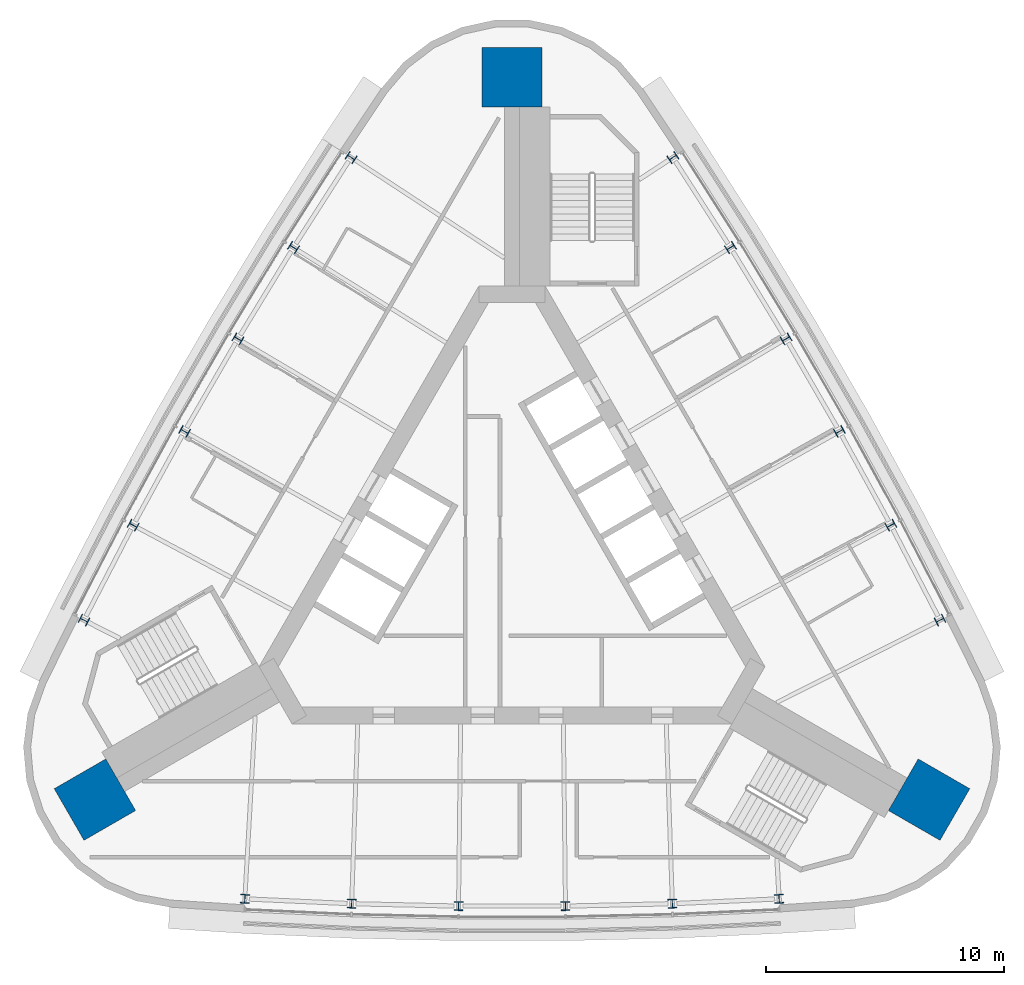
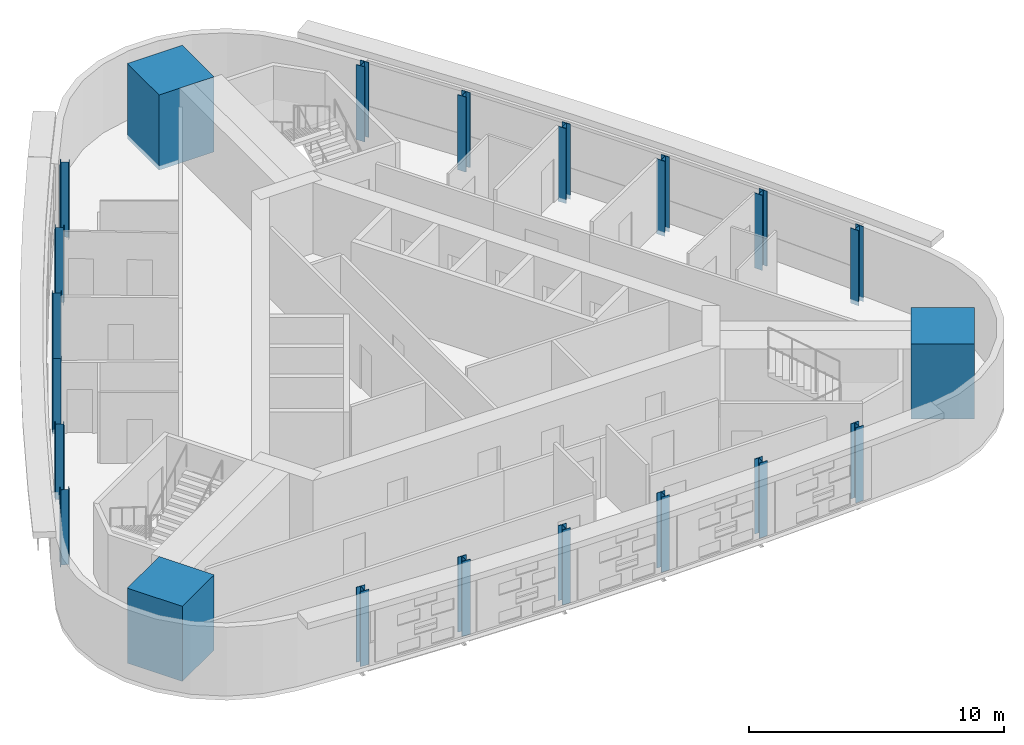
# One storey, part 1 of 9: 21 columns.
"""IFC4 building model written with IfcOpenShell, lengths in metres."""

from ifc_helpers import new_model, si_unit, direction, frame, origin, origin_2d, place, context, subcontext, project, spatial, rectangle, i_section, extrude, material, material_profile, profile_set, type_object, element, save


model = new_model("IFC4")

# Units and contexts
model_context = context("Model", 3, precision=1e-05, world=origin(), true_north=direction((0.0, 1.0)))
body_context = subcontext(model_context, "Body", "Model", "MODEL_VIEW")
ifc_project = project(units=[si_unit("LENGTHUNIT", "METRE"), si_unit("AREAUNIT", "SQUARE_METRE"), si_unit("VOLUMEUNIT", "CUBIC_METRE"), si_unit("PLANEANGLEUNIT", "RADIAN"), si_unit("MASSUNIT", "GRAM", prefix="KILO")], contexts=[model_context])

# Site, building, storey
site_placement = place(None, origin())
site = spatial("IfcSite", under=ifc_project, at=site_placement, CompositionType="ELEMENT")
building_placement = place(site_placement, origin())
building = spatial("IfcBuilding", under=site, at=building_placement, Name="Noor Cloister Tower", CompositionType="ELEMENT")
storey_placement = place(building_placement, frame((0.0, 0.0, 232.800048828125)))
storey = spatial("IfcBuildingStorey", under=building, at=storey_placement, Name="L60", CompositionType="ELEMENT", Elevation=232.800048828125)

# Columns
ifc_material_1 = material(Name="Steel ASTM A992 Gr 50", Category="steel")
ifc_material_profile_1 = material_profile(ifc_material_1, i_section(OverallWidth=0.373046875, OverallDepth=0.367919921875, WebThickness=0.014892578125, FlangeThickness=0.02392578125, FilletRadius=0.01513671875, at=origin_2d()), Name="W360x179")
ifc_profile_set_1 = profile_set([ifc_material_profile_1], Name="Steel ASTM A992 Gr 50")
column_type_1 = type_object("IfcColumnType", Name="Column W360x179", PredefinedType="COLUMN", material=ifc_profile_set_1)
for number, where, z_axis, x_axis, name in (
    (1, (-6.752685546875, 16.84619140625, -0.199951171875), (0.0, 0.0, 1.0), (-0.5482122141, -0.836339266274, 0.0), "Column NW 01 L60"),
    (2, (-9.169921875, 13.0654296875, -0.199951171875), (0.0, 0.0, 1.0), (-0.529129681863, -0.84854097118, 0.0), "Column NW 02 L60"),
    (3, (-11.501220703125, 9.23095703125, -0.199951171875), (0.0, 0.0, 1.0), (-0.509775693078, -0.860307353652, 0.0), "Column NW 03 L60"),
    (4, (-13.744873046875, 5.3447265625, -0.199951171875), (0.0, 0.0, 1.0), (-0.490160176786, -0.871632377263, 0.0), "Column NW 04 L60"),
    (5, (-15.89990234375, 1.40869140625, -0.199951171875), (0.0, 0.0, 1.0), (-0.470293196262, -0.88251023198, 0.0), "Column NW 05 L60"),
    (6, (-17.96533203125, -2.5751953125, -0.199951171875), (0.0, 0.0, 1.0), (-0.450184943726, -0.892935337212, 0.0), "Column NW 06 L60"),
    (7, (-11.212890625, -14.27099609375, -0.199951171875), (0.0, 0.0, 1.0), (0.998397157826, -0.056596070938, 0.0), "Column S 01 L60"),
    (8, (-6.72998046875, -14.47412109375, -0.199951171875), (0.0, 0.0, 1.0), (0.999422878126, -0.0339692608, 0.0), "Column S 02 L60"),
    (9, (-2.24365234375, -14.575927734375, -0.199951171875), (0.0, 0.0, 1.0), (0.999935869864, -0.011325023611, 0.0), "Column S 03 L60"),
    (10, (2.24365234375, -14.575927734375, -0.199951171875), (0.0, 0.0, 1.0), (0.999935869864, 0.011325023611, 0.0), "Column S 04 L60"),
    (11, (6.72998046875, -14.47412109375, -0.199951171875), (0.0, 0.0, 1.0), (0.999422878126, 0.0339692608, 0.0), "Column S 05 L60"),
    (12, (11.212890625, -14.27099609375, -0.199951171875), (0.0, 0.0, 1.0), (0.998397157826, 0.056596070938, 0.0), "Column S 06 L60"),
    (13, (17.96533203125, -2.5751953125, -0.199951171875), (0.0, 0.0, 1.0), (-0.450184943726, 0.892935337212, 0.0), "Column NE 01 L60"),
    (14, (15.89990234375, 1.40869140625, -0.199951171875), (0.0, 0.0, 1.0), (-0.470293196262, 0.88251023198, 0.0), "Column NE 02 L60"),
    (15, (13.744873046875, 5.3447265625, -0.199951171875), (0.0, 0.0, 1.0), (-0.490160176786, 0.871632377263, 0.0), "Column NE 03 L60"),
    (16, (11.501220703125, 9.23095703125, -0.199951171875), (0.0, 0.0, 1.0), (-0.509775693078, 0.860307353652, 0.0), "Column NE 04 L60"),
    (17, (9.169921875, 13.0654296875, -0.199951171875), (0.0, 0.0, 1.0), (-0.529129681863, 0.84854097118, 0.0), "Column NE 05 L60"),
    (18, (6.752685546875, 16.84619140625, -0.199951171875), (0.0, 0.0, 1.0), (-0.5482122141, 0.836339266274, 0.0), "Column NE 06 L60"),
):
    element("IfcColumn", number, at=place(storey_placement, frame(where, z_axis=z_axis, x_axis=x_axis)), inside=storey, type_object=column_type_1, Name=name, PredefinedType="COLUMN", context=body_context, shape_type="SweptSolid", body=[
        extrude(i_section(OverallWidth=0.373046875, OverallDepth=0.367919921875, WebThickness=0.014892578125, FlangeThickness=0.02392578125, FilletRadius=0.01513671875, at=origin_2d()), origin(), (0.0, 0.0, 1.0), 3.599853515625),
    ])
ifc_material_2 = material(Name="Concrete C60/75", Category="concrete")
ifc_material_profile_2 = material_profile(ifc_material_2, rectangle(XDim=2.5, YDim=2.5, at=origin_2d()), Name="RC 2500x2500")
ifc_profile_set_2 = profile_set([ifc_material_profile_2], Name="Concrete C60/75")
column_type_2 = type_object("IfcColumnType", Name="Corner pier 2500 x 2500 C60/75", PredefinedType="COLUMN", material=ifc_profile_set_2)
for number, where, z_axis, x_axis, name in (
    (19, (0.0, 20.212890625, -0.199951171875), (0.0, 0.0, 1.0), (0.0, 1.0, 0.0), "Corner pier N L60"),
    (20, (-17.5048828125, -10.1064453125, -0.199951171875), (0.0, 0.0, 1.0), (-0.866025403784, -0.5, 0.0), "Corner pier SW L60"),
    (21, (17.5048828125, -10.1064453125, -0.199951171875), (0.0, 0.0, 1.0), (0.866025403784, -0.5, 0.0), "Corner pier SE L60"),
):
    element("IfcColumn", number, at=place(storey_placement, frame(where, z_axis=z_axis, x_axis=x_axis)), inside=storey, type_object=column_type_2, Name=name, PredefinedType="COLUMN", context=body_context, shape_type="SweptSolid", body=[
        extrude(rectangle(XDim=2.5, YDim=2.5, at=origin_2d()), origin(), (0.0, 0.0, 1.0), 3.599853515625),
    ])

save(model, "model.ifc")
